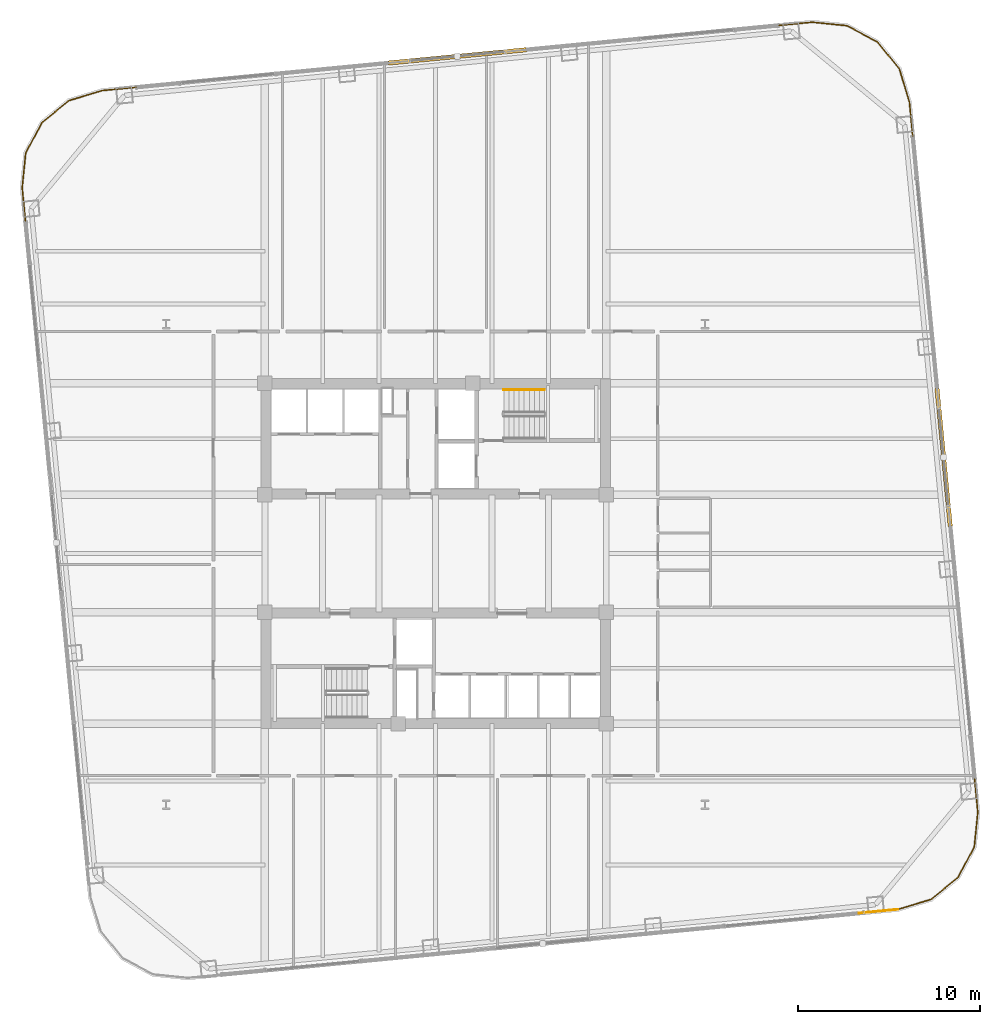
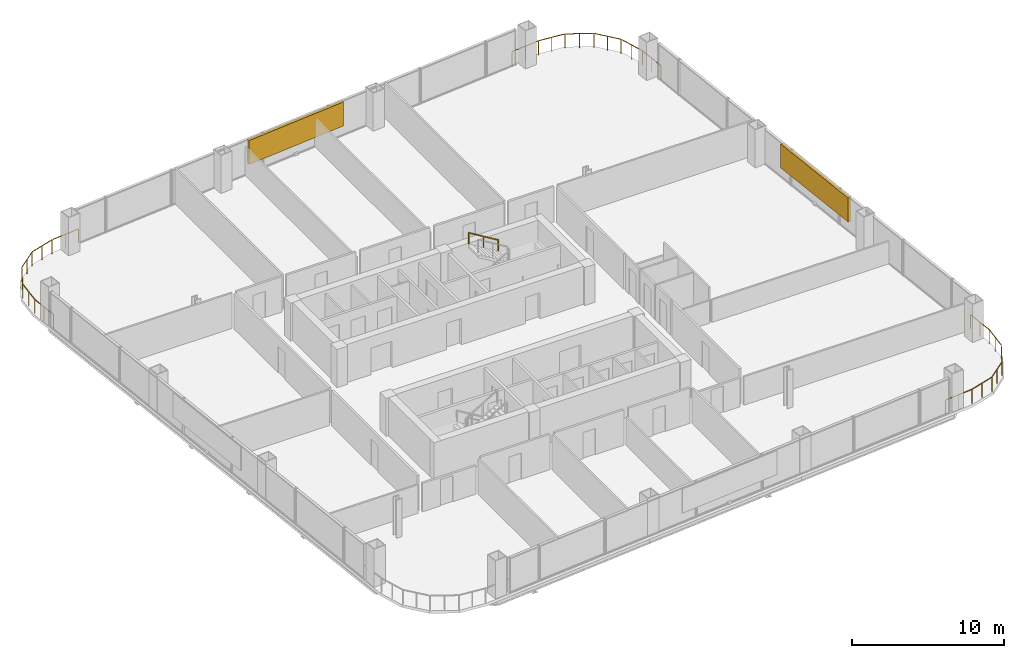
# One storey, part 27 of 27: 5 railings, 2 shading devices.
"""IFC4 building model written with IfcOpenShell, lengths in metres."""

from ifc_helpers import new_model, si_unit, direction, frame, origin, origin_2d, place, context, subcontext, project, spatial, rectangle, extrude, material, type_object, element, save


model = new_model("IFC4")

# Units and contexts
model_context = context("Model", 3, precision=1e-05, world=origin(), true_north=direction((0.0, 1.0)))
body_context = subcontext(model_context, "Body", "Model", "MODEL_VIEW")
ifc_project = project(units=[si_unit("LENGTHUNIT", "METRE"), si_unit("AREAUNIT", "SQUARE_METRE"), si_unit("VOLUMEUNIT", "CUBIC_METRE"), si_unit("PLANEANGLEUNIT", "RADIAN"), si_unit("MASSUNIT", "GRAM", prefix="KILO")], contexts=[model_context])

# Site, building, storey
site_placement = place(None, origin())
site = spatial("IfcSite", under=ifc_project, at=site_placement, CompositionType="ELEMENT")
building_placement = place(site_placement, origin())
building = spatial("IfcBuilding", under=site, at=building_placement, Name="Qhalaya Broadcast Tower", CompositionType="ELEMENT")
storey_placement = place(building_placement, frame((0.0, 0.0, 84.699951171875)))
storey = spatial("IfcBuildingStorey", under=building, at=storey_placement, Name="L24", CompositionType="ELEMENT", Elevation=84.699951171875)

# Railings
ifc_material_1 = material(Name="Powder-Coated Galvanised Steel", Category="steel")
railing_type_1 = type_object("IfcRailingType", Name="Stair Wall Handrail 900", PredefinedType="HANDRAIL", material=ifc_material_1)
railing_1_placement = place(storey_placement, frame((5.989990234375, 9.590087890625, 1.694580078125)))
element("IfcRailing", 1, at=railing_1_placement, inside=storey, type_object=railing_type_1, Name="L24 ST-1 Stair Handrail 2", PredefinedType="HANDRAIL", context=body_context, shape_type="SweptSolid", body=[
    extrude(rectangle(XDim=0.048095703125, YDim=0.048095703125, at=origin_2d()), frame((0.0, 0.0, 0.8759765625), z_axis=(-0.855553338991, 0.0, 0.51771467445), x_axis=(0.0, -1.0, 0.0)), (0.0, 0.0, 1.0), 2.6181640625),
    extrude(rectangle(XDim=0.0419921875, YDim=0.0419921875, at=origin_2d()), origin(), (0.0, 0.0, 1.0), 0.849853515625),
    extrude(rectangle(XDim=0.0419921875, YDim=0.0419921875, at=origin_2d()), frame((-1.1201171875, 0.0, 0.677734375)), (0.0, 0.0, 1.0), 0.849853515625),
    extrude(rectangle(XDim=0.0419921875, YDim=0.0419921875, at=origin_2d()), frame((-2.239990234375, 0.0, 1.35546875)), (0.0, 0.0, 1.0), 0.849853515625),
])
railing_type_2 = type_object("IfcRailingType", Name="Terrace, Sky-Pool & Lookout Glass Balustrade 1150", PredefinedType="BALUSTRADE", material=ifc_material_1)
railing_2_placement = place(storey_placement, frame((25.38427734375, -18.949951171875, 0.0)))
element("IfcRailing", 2, at=railing_2_placement, inside=storey, type_object=railing_type_2, Name="L24 Rounded Corner Perimeter Guard 01", PredefinedType="BALUSTRADE", context=body_context, shape_type="SweptSolid", body=[
    extrude(rectangle(XDim=0.048095703125, YDim=0.048095703125, at=origin_2d()), frame((0.0, 0.0, 1.1259765625), z_axis=(-0.995402268864, -0.095782687057, 0.0), x_axis=(0.095782687057, -0.995402268864, 0.0)), (0.0, 0.0, 1.0), 2.1181640625),
    extrude(rectangle(XDim=0.0419921875, YDim=0.0419921875, at=origin_2d()), origin(), (0.0, 0.0, 1.0), 1.099853515625),
    extrude(rectangle(XDim=0.0419921875, YDim=0.0419921875, at=origin_2d()), frame((-1.05419921875, -0.1015625, 0.0)), (0.0, 0.0, 1.0), 1.099853515625),
    extrude(rectangle(XDim=0.0419921875, YDim=0.0419921875, at=origin_2d()), frame((-2.1083984375, -0.202880859375, 0.0)), (0.0, 0.0, 1.0), 1.099853515625),
])
railing_3_placement = place(storey_placement, frame((-22.501708984375, 18.583251953125, 0.0)))
element("IfcRailing", 3, at=railing_3_placement, inside=storey, type_object=railing_type_2, Name="L24 Rounded Corner Perimeter Guard 03", PredefinedType="BALUSTRADE", context=body_context, shape_type="SweptSolid", body=[
    extrude(rectangle(XDim=0.048095703125, YDim=0.048095703125, at=origin_2d()), frame((0.0, 0.0, 1.1259765625), z_axis=(-0.095782687057, 0.995402268864, 0.0), x_axis=(-0.995402268864, -0.095782687057, 0.0)), (0.0, 0.0, 1.0), 2.08935546875),
    extrude(rectangle(XDim=0.048095703125, YDim=0.048095703125, at=origin_2d()), frame((-0.199951171875, 2.13720703125, 1.1259765625), z_axis=(0.100071682341, 0.994980230152, 0.0), x_axis=(-0.994980230152, 0.100071682341, 0.0)), (0.0, 0.0, 1.0), 1.857421875),
    extrude(rectangle(XDim=0.048095703125, YDim=0.048095703125, at=origin_2d()), frame((0.00244140625, 4.039306640625, 1.1259765625), z_axis=(0.473342342286, 0.880878554058, 0.0), x_axis=(-0.880878554058, 0.473342342286, 0.0)), (0.0, 0.0, 1.0), 1.845458984375),
    extrude(rectangle(XDim=0.048095703125, YDim=0.048095703125, at=origin_2d()), frame((0.912109375, 5.708740234375, 1.1259765625), z_axis=(0.774420039683, 0.632671796541, 0.0), x_axis=(-0.632671796541, 0.774420039683, 0.0)), (0.0, 0.0, 1.0), 1.845458984375),
    extrude(rectangle(XDim=0.048095703125, YDim=0.048095703125, at=origin_2d()), frame((2.39111328125, 6.90283203125, 1.1259765625), z_axis=(0.95756627332, 0.288213171456, 0.0), x_axis=(-0.288213171456, 0.95756627332, 0.0)), (0.0, 0.0, 1.0), 1.857421875),
    extrude(rectangle(XDim=0.048095703125, YDim=0.048095703125, at=origin_2d()), frame((4.226318359375, 7.44921875, 1.1259765625), z_axis=(0.995391273094, 0.095896889673, 0.0), x_axis=(-0.095896889673, 0.995391273094, 0.0)), (0.0, 0.0, 1.0), 2.08935546875),
    extrude(rectangle(XDim=0.0419921875, YDim=0.0419921875, at=origin_2d()), origin(), (0.0, 0.0, 1.0), 1.099853515625),
    extrude(rectangle(XDim=0.0419921875, YDim=0.0419921875, at=origin_2d()), frame((-0.1015625, 1.05419921875, 0.0)), (0.0, 0.0, 1.0), 1.099853515625),
    extrude(rectangle(XDim=0.0419921875, YDim=0.0419921875, at=origin_2d()), frame((-0.202880859375, 2.1083984375, 0.0)), (0.0, 0.0, 1.0), 1.099853515625),
    extrude(rectangle(XDim=0.0419921875, YDim=0.0419921875, at=origin_2d()), frame((-0.10693359375, 3.06103515625, 0.0)), (0.0, 0.0, 1.0), 1.099853515625),
    extrude(rectangle(XDim=0.0419921875, YDim=0.0419921875, at=origin_2d()), frame((-0.01123046875, 4.013916015625, 0.0)), (0.0, 0.0, 1.0), 1.099853515625),
    extrude(rectangle(XDim=0.0419921875, YDim=0.0419921875, at=origin_2d()), frame((0.439208984375, 4.85205078125, 0.0)), (0.0, 0.0, 1.0), 1.099853515625),
    extrude(rectangle(XDim=0.0419921875, YDim=0.0419921875, at=origin_2d()), frame((0.8896484375, 5.6904296875, 0.0)), (0.0, 0.0, 1.0), 1.099853515625),
    extrude(rectangle(XDim=0.0419921875, YDim=0.0419921875, at=origin_2d()), frame((1.62646484375, 6.29248046875, 0.0)), (0.0, 0.0, 1.0), 1.099853515625),
    extrude(rectangle(XDim=0.0419921875, YDim=0.0419921875, at=origin_2d()), frame((2.363525390625, 6.89453125, 0.0)), (0.0, 0.0, 1.0), 1.099853515625),
    extrude(rectangle(XDim=0.0419921875, YDim=0.0419921875, at=origin_2d()), frame((3.280517578125, 7.17041015625, 0.0)), (0.0, 0.0, 1.0), 1.099853515625),
    extrude(rectangle(XDim=0.0419921875, YDim=0.0419921875, at=origin_2d()), frame((4.197509765625, 7.446533203125, 0.0)), (0.0, 0.0, 1.0), 1.099853515625),
    extrude(rectangle(XDim=0.0419921875, YDim=0.0419921875, at=origin_2d()), frame((5.251708984375, 7.548095703125, 0.0)), (0.0, 0.0, 1.0), 1.099853515625),
    extrude(rectangle(XDim=0.0419921875, YDim=0.0419921875, at=origin_2d()), frame((6.305908203125, 7.649658203125, 0.0)), (0.0, 0.0, 1.0), 1.099853515625),
])
railing_4_placement = place(storey_placement, frame((18.583251953125, 29.581787109375, 0.0)))
element("IfcRailing", 4, at=railing_4_placement, inside=storey, type_object=railing_type_2, Name="L24 Rounded Corner Perimeter Guard 04", PredefinedType="BALUSTRADE", context=body_context, shape_type="SweptSolid", body=[
    extrude(rectangle(XDim=0.048095703125, YDim=0.048095703125, at=origin_2d()), frame((0.0, 0.0, 1.1259765625), z_axis=(0.995402268864, 0.095782687057, 0.0), x_axis=(-0.095782687057, 0.995402268864, 0.0)), (0.0, 0.0, 1.0), 2.08935546875),
    extrude(rectangle(XDim=0.048095703125, YDim=0.048095703125, at=origin_2d()), frame((2.13720703125, 0.199951171875, 1.1259765625), z_axis=(0.994980230152, -0.100071682341, 0.0), x_axis=(0.100071682341, 0.994980230152, 0.0)), (0.0, 0.0, 1.0), 1.857421875),
    extrude(rectangle(XDim=0.048095703125, YDim=0.048095703125, at=origin_2d()), frame((4.039306640625, -0.00244140625, 1.1259765625), z_axis=(0.880878554058, -0.473342342286, 0.0), x_axis=(0.473342342286, 0.880878554058, 0.0)), (0.0, 0.0, 1.0), 1.845458984375),
    extrude(rectangle(XDim=0.048095703125, YDim=0.048095703125, at=origin_2d()), frame((5.708740234375, -0.912109375, 1.1259765625), z_axis=(0.632671796541, -0.774420039683, 0.0), x_axis=(0.774420039683, 0.632671796541, 0.0)), (0.0, 0.0, 1.0), 1.845458984375),
    extrude(rectangle(XDim=0.048095703125, YDim=0.048095703125, at=origin_2d()), frame((6.90283203125, -2.39111328125, 1.1259765625), z_axis=(0.288213171456, -0.95756627332, 0.0), x_axis=(0.95756627332, 0.288213171456, 0.0)), (0.0, 0.0, 1.0), 1.857421875),
    extrude(rectangle(XDim=0.048095703125, YDim=0.048095703125, at=origin_2d()), frame((7.44921875, -4.226318359375, 1.1259765625), z_axis=(0.095896889673, -0.995391273094, 0.0), x_axis=(0.995391273094, 0.095896889673, 0.0)), (0.0, 0.0, 1.0), 2.08935546875),
    extrude(rectangle(XDim=0.0419921875, YDim=0.0419921875, at=origin_2d()), origin(), (0.0, 0.0, 1.0), 1.099853515625),
    extrude(rectangle(XDim=0.0419921875, YDim=0.0419921875, at=origin_2d()), frame((1.05419921875, 0.1015625, 0.0)), (0.0, 0.0, 1.0), 1.099853515625),
    extrude(rectangle(XDim=0.0419921875, YDim=0.0419921875, at=origin_2d()), frame((2.1083984375, 0.202880859375, 0.0)), (0.0, 0.0, 1.0), 1.099853515625),
    extrude(rectangle(XDim=0.0419921875, YDim=0.0419921875, at=origin_2d()), frame((3.06103515625, 0.10693359375, 0.0)), (0.0, 0.0, 1.0), 1.099853515625),
    extrude(rectangle(XDim=0.0419921875, YDim=0.0419921875, at=origin_2d()), frame((4.013916015625, 0.01123046875, 0.0)), (0.0, 0.0, 1.0), 1.099853515625),
    extrude(rectangle(XDim=0.0419921875, YDim=0.0419921875, at=origin_2d()), frame((4.85205078125, -0.439208984375, 0.0)), (0.0, 0.0, 1.0), 1.099853515625),
    extrude(rectangle(XDim=0.0419921875, YDim=0.0419921875, at=origin_2d()), frame((5.6904296875, -0.8896484375, 0.0)), (0.0, 0.0, 1.0), 1.099853515625),
    extrude(rectangle(XDim=0.0419921875, YDim=0.0419921875, at=origin_2d()), frame((6.29248046875, -1.62646484375, 0.0)), (0.0, 0.0, 1.0), 1.099853515625),
    extrude(rectangle(XDim=0.0419921875, YDim=0.0419921875, at=origin_2d()), frame((6.89453125, -2.363525390625, 0.0)), (0.0, 0.0, 1.0), 1.099853515625),
    extrude(rectangle(XDim=0.0419921875, YDim=0.0419921875, at=origin_2d()), frame((7.17041015625, -3.280517578125, 0.0)), (0.0, 0.0, 1.0), 1.099853515625),
    extrude(rectangle(XDim=0.0419921875, YDim=0.0419921875, at=origin_2d()), frame((7.446533203125, -4.197509765625, 0.0)), (0.0, 0.0, 1.0), 1.099853515625),
    extrude(rectangle(XDim=0.0419921875, YDim=0.0419921875, at=origin_2d()), frame((7.548095703125, -5.251708984375, 0.0)), (0.0, 0.0, 1.0), 1.099853515625),
    extrude(rectangle(XDim=0.0419921875, YDim=0.0419921875, at=origin_2d()), frame((7.649658203125, -6.305908203125, 0.0)), (0.0, 0.0, 1.0), 1.099853515625),
])
railing_5_placement = place(storey_placement, frame((29.581787109375, -11.50341796875, 0.0)))
element("IfcRailing", 5, at=railing_5_placement, inside=storey, type_object=railing_type_2, Name="L24 Rounded Corner Perimeter Guard 05", PredefinedType="BALUSTRADE", context=body_context, shape_type="SweptSolid", body=[
    extrude(rectangle(XDim=0.048095703125, YDim=0.048095703125, at=origin_2d()), frame((0.0, 0.0, 1.1259765625), z_axis=(0.095782687057, -0.995402268864, 0.0), x_axis=(0.995402268864, 0.095782687057, 0.0)), (0.0, 0.0, 1.0), 2.08935546875),
    extrude(rectangle(XDim=0.048095703125, YDim=0.048095703125, at=origin_2d()), frame((0.199951171875, -2.13720703125, 1.1259765625), z_axis=(-0.100084377028, -0.994978953282, 0.0), x_axis=(0.994978953282, -0.100084377028, 0.0)), (0.0, 0.0, 1.0), 1.857177734375),
    extrude(rectangle(XDim=0.048095703125, YDim=0.048095703125, at=origin_2d()), frame((-0.00244140625, -4.0390625, 1.1259765625), z_axis=(-0.473288861424, -0.880907290044, 0.0), x_axis=(0.880907290044, -0.473288861424, 0.0)), (0.0, 0.0, 1.0), 1.845703125),
    extrude(rectangle(XDim=0.048095703125, YDim=0.048095703125, at=origin_2d()), frame((-0.912109375, -5.708740234375, 1.1259765625), z_axis=(-0.774420039683, -0.632671796541, 0.0), x_axis=(0.632671796541, -0.774420039683, 0.0)), (0.0, 0.0, 1.0), 1.845458984375),
    extrude(rectangle(XDim=0.048095703125, YDim=0.048095703125, at=origin_2d()), frame((-2.39111328125, -6.90283203125, 1.1259765625), z_axis=(-0.95756627332, -0.288213171456, 0.0), x_axis=(0.288213171456, -0.95756627332, 0.0)), (0.0, 0.0, 1.0), 1.886474609375),
    extrude(rectangle(XDim=0.0419921875, YDim=0.0419921875, at=origin_2d()), origin(), (0.0, 0.0, 1.0), 1.099853515625),
    extrude(rectangle(XDim=0.0419921875, YDim=0.0419921875, at=origin_2d()), frame((0.1015625, -1.05419921875, 0.0)), (0.0, 0.0, 1.0), 1.099853515625),
    extrude(rectangle(XDim=0.0419921875, YDim=0.0419921875, at=origin_2d()), frame((0.202880859375, -2.1083984375, 0.0)), (0.0, 0.0, 1.0), 1.099853515625),
    extrude(rectangle(XDim=0.0419921875, YDim=0.0419921875, at=origin_2d()), frame((0.10693359375, -3.06103515625, 0.0)), (0.0, 0.0, 1.0), 1.099853515625),
    extrude(rectangle(XDim=0.0419921875, YDim=0.0419921875, at=origin_2d()), frame((0.01123046875, -4.013671875, 0.0)), (0.0, 0.0, 1.0), 1.099853515625),
    extrude(rectangle(XDim=0.0419921875, YDim=0.0419921875, at=origin_2d()), frame((-0.439208984375, -4.85205078125, 0.0)), (0.0, 0.0, 1.0), 1.099853515625),
    extrude(rectangle(XDim=0.0419921875, YDim=0.0419921875, at=origin_2d()), frame((-0.8896484375, -5.6904296875, 0.0)), (0.0, 0.0, 1.0), 1.099853515625),
    extrude(rectangle(XDim=0.0419921875, YDim=0.0419921875, at=origin_2d()), frame((-1.62646484375, -6.29248046875, 0.0)), (0.0, 0.0, 1.0), 1.099853515625),
    extrude(rectangle(XDim=0.0419921875, YDim=0.0419921875, at=origin_2d()), frame((-2.363525390625, -6.89453125, 0.0)), (0.0, 0.0, 1.0), 1.099853515625),
    extrude(rectangle(XDim=0.0419921875, YDim=0.0419921875, at=origin_2d()), frame((-3.280517578125, -7.17041015625, 0.0)), (0.0, 0.0, 1.0), 1.099853515625),
    extrude(rectangle(XDim=0.0419921875, YDim=0.0419921875, at=origin_2d()), frame((-4.197509765625, -7.446533203125, 0.0)), (0.0, 0.0, 1.0), 1.099853515625),
])

# Shading devices
ifc_material_2 = material(Name="Fired Architectural Terracotta", Category="masonry")
shading_device_type = type_object("IfcShadingDeviceType", Name="Terracotta Baguette Solar Screen Assembly TBS-01", PredefinedType="USERDEFINED", material=ifc_material_2)
for number, where, z_axis, x_axis, name in (
    (6, (27.9072265625, 5.88623046875, 0.79248046875), (0.0, 0.0, 1.0), (-0.09584575252, 0.995396198367, 0.0), "L24 Fired Terracotta Baguette Screen E"),
    (7, (1.193603515625, 27.9072265625, 0.79248046875), (0.0, 0.0, 1.0), (-0.995396198367, -0.09584575252, 0.0), "L24 Fired Terracotta Baguette Screen N"),
):
    element("IfcShadingDevice", number, at=place(storey_placement, frame(where, z_axis=z_axis, x_axis=x_axis)), inside=storey, type_object=shading_device_type, Name=name, ObjectType="BAGUETTE", PredefinedType="USERDEFINED", context=body_context, shape_type="SweptSolid", body=[
        extrude(rectangle(XDim=7.60009765625, YDim=0.239990234375, at=origin_2d()), origin(), (0.0, 0.0, 1.0), 1.924072265625),
    ])

save(model, "model.ifc")
